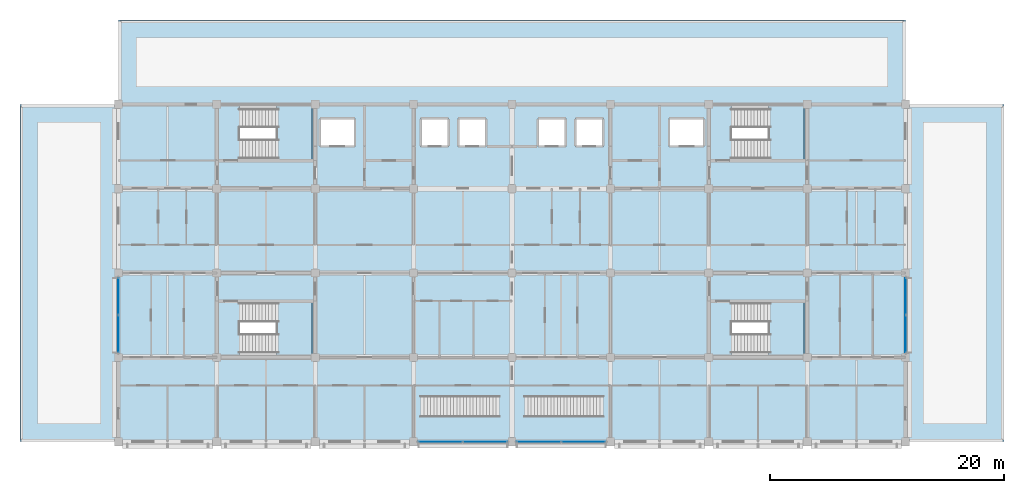
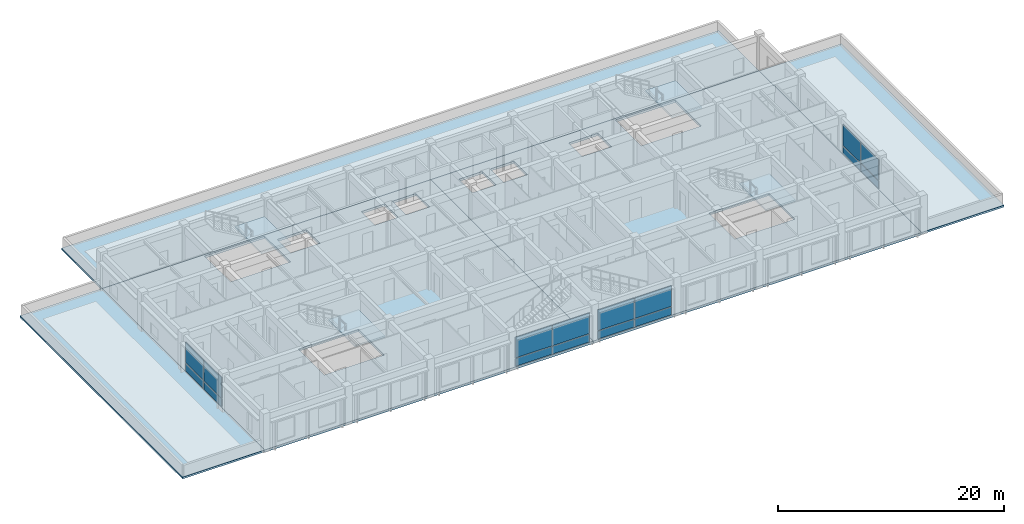
# One storey, part 6 of 19: 16 plates, 9 slabs, 8 elements without a shape of their own.
"""IFC4 building model written with IfcOpenShell, lengths in metres."""

from ifc_helpers import new_model, si_unit, direction, frame, origin, origin_2d, place, context, subcontext, project, spatial, polyline, rectangle, outline, extrude, material, layer, layer_set, type_object, element, aggregate, save


model = new_model("IFC4")

# Units and contexts
model_context = context("Model", 3, precision=1e-05, world=origin(), true_north=direction((0.0, 1.0)))
body_context = subcontext(model_context, "Body", "Model", "MODEL_VIEW")
ifc_project = project(units=[si_unit("LENGTHUNIT", "METRE"), si_unit("AREAUNIT", "SQUARE_METRE"), si_unit("VOLUMEUNIT", "CUBIC_METRE"), si_unit("PLANEANGLEUNIT", "RADIAN"), si_unit("MASSUNIT", "GRAM", prefix="KILO")], contexts=[model_context])

# Site, building, storey
site_placement = place(None, origin())
site = spatial("IfcSite", under=ifc_project, at=site_placement, CompositionType="ELEMENT")
building_placement = place(site_placement, origin())
building = spatial("IfcBuilding", under=site, at=building_placement, Name="Chengyuan Square Courthouse", CompositionType="ELEMENT")
storey_placement = place(building_placement, frame((0.0, 0.0, 47.699951171875)))
storey = spatial("IfcBuildingStorey", under=building, at=storey_placement, Name="L11", CompositionType="ELEMENT", Elevation=47.699951171875)

# Curtain wall, plates
ifc_material_1 = material(Name="Unitised Aluminium and Triple Low-E Glass", Category="aluminium")
ifc_layer_1 = layer(ifc_material_1, 0.199951171875)
ifc_layer_set_1 = layer_set([ifc_layer_1], Name="Unitised Aluminium and Triple Low-E Glass")
curtain_wall_type_1 = type_object("IfcCurtainWallType", Name="CW-07", PredefinedType="USERDEFINED", material=ifc_layer_set_1)
curtain_wall_1_placement = place(storey_placement, origin())
curtain_wall_1 = element("IfcCurtainWall", 1, at=curtain_wall_1_placement, inside=storey, type_object=curtain_wall_type_1, Name="Unitised Curtain Wall CW-L11-261", ObjectType="UNITISED CURTAIN WALL", PredefinedType="USERDEFINED")
ifc_material_2 = material(Name="Triple Low-E Insulating Glass", Category="glass")
ifc_layer_2 = layer(ifc_material_2, 0.02392578125)
ifc_layer_set_2 = layer_set([ifc_layer_2], Name="Triple Low-E Insulating Glass")
plate_type_1 = type_object("IfcPlateType", Name="CWP-01", PredefinedType="CURTAIN_PANEL", material=ifc_layer_set_2)
plate_1_placement = place(storey_placement, frame((77.892578125, 79.199951171875, 0.06982421875), z_axis=(0.0, 0.0, 1.0), x_axis=(1.0, 0.0, 0.0)))
plate_1 = element("IfcPlate", 2, at=plate_1_placement, type_object=plate_type_1, Name="CW-07 panel 1.1", PredefinedType="CURTAIN_PANEL", context=body_context, shape_type="SweptSolid", body=[
    extrude(rectangle(XDim=3.7451171875, YDim=0.02392578125, at=origin_2d()), origin(), (0.0, 0.0, 1.0), 0.844970703125),
])
plate_2_placement = place(storey_placement, frame((77.892578125, 79.199951171875, 0.985107421875), z_axis=(0.0, 0.0, 1.0), x_axis=(1.0, 0.0, 0.0)))
plate_2 = element("IfcPlate", 3, at=plate_2_placement, type_object=plate_type_1, Name="CW-07 panel 1.2", PredefinedType="CURTAIN_PANEL", context=body_context, shape_type="SweptSolid", body=[
    extrude(rectangle(XDim=3.7451171875, YDim=0.02392578125, at=origin_2d()), origin(), (0.0, 0.0, 1.0), 2.2548828125),
])
plate_3_placement = place(storey_placement, frame((81.70751953125, 79.199951171875, 0.06982421875), z_axis=(0.0, 0.0, 1.0), x_axis=(1.0, 0.0, 0.0)))
plate_3 = element("IfcPlate", 4, at=plate_3_placement, type_object=plate_type_1, Name="CW-07 panel 2.1", PredefinedType="CURTAIN_PANEL", context=body_context, shape_type="SweptSolid", body=[
    extrude(rectangle(XDim=3.7451171875, YDim=0.02392578125, at=origin_2d()), origin(), (0.0, 0.0, 1.0), 0.844970703125),
])
plate_4_placement = place(storey_placement, frame((81.70751953125, 79.199951171875, 0.985107421875), z_axis=(0.0, 0.0, 1.0), x_axis=(1.0, 0.0, 0.0)))
plate_4 = element("IfcPlate", 5, at=plate_4_placement, type_object=plate_type_1, Name="CW-07 panel 2.2", PredefinedType="CURTAIN_PANEL", context=body_context, shape_type="SweptSolid", body=[
    extrude(rectangle(XDim=3.7451171875, YDim=0.02392578125, at=origin_2d()), origin(), (0.0, 0.0, 1.0), 2.2548828125),
])
aggregate(curtain_wall_1, [plate_1, plate_2, plate_3, plate_4])

curtain_wall_2_placement = place(storey_placement, origin())
curtain_wall_2 = element("IfcCurtainWall", 6, at=curtain_wall_2_placement, inside=storey, type_object=curtain_wall_type_1, Name="Unitised Curtain Wall CW-L11-262", ObjectType="UNITISED CURTAIN WALL", PredefinedType="USERDEFINED")
plate_5_placement = place(storey_placement, frame((86.29248046875, 79.199951171875, 0.06982421875), z_axis=(0.0, 0.0, 1.0), x_axis=(1.0, 0.0, 0.0)))
plate_5 = element("IfcPlate", 7, at=plate_5_placement, type_object=plate_type_1, Name="CW-07 panel 1.1", PredefinedType="CURTAIN_PANEL", context=body_context, shape_type="SweptSolid", body=[
    extrude(rectangle(XDim=3.7451171875, YDim=0.02392578125, at=origin_2d()), origin(), (0.0, 0.0, 1.0), 0.844970703125),
])
plate_6_placement = place(storey_placement, frame((86.29248046875, 79.199951171875, 0.985107421875), z_axis=(0.0, 0.0, 1.0), x_axis=(1.0, 0.0, 0.0)))
plate_6 = element("IfcPlate", 8, at=plate_6_placement, type_object=plate_type_1, Name="CW-07 panel 1.2", PredefinedType="CURTAIN_PANEL", context=body_context, shape_type="SweptSolid", body=[
    extrude(rectangle(XDim=3.7451171875, YDim=0.02392578125, at=origin_2d()), origin(), (0.0, 0.0, 1.0), 2.2548828125),
])
plate_7_placement = place(storey_placement, frame((90.107421875, 79.199951171875, 0.06982421875), z_axis=(0.0, 0.0, 1.0), x_axis=(1.0, 0.0, 0.0)))
plate_7 = element("IfcPlate", 9, at=plate_7_placement, type_object=plate_type_1, Name="CW-07 panel 2.1", PredefinedType="CURTAIN_PANEL", context=body_context, shape_type="SweptSolid", body=[
    extrude(rectangle(XDim=3.7451171875, YDim=0.02392578125, at=origin_2d()), origin(), (0.0, 0.0, 1.0), 0.844970703125),
])
plate_8_placement = place(storey_placement, frame((90.107421875, 79.199951171875, 0.985107421875), z_axis=(0.0, 0.0, 1.0), x_axis=(1.0, 0.0, 0.0)))
plate_8 = element("IfcPlate", 10, at=plate_8_placement, type_object=plate_type_1, Name="CW-07 panel 2.2", PredefinedType="CURTAIN_PANEL", context=body_context, shape_type="SweptSolid", body=[
    extrude(rectangle(XDim=3.7451171875, YDim=0.02392578125, at=origin_2d()), origin(), (0.0, 0.0, 1.0), 2.2548828125),
])
aggregate(curtain_wall_2, [plate_5, plate_6, plate_7, plate_8])

ifc_layer_3 = layer(ifc_material_1, 0.219970703125)
ifc_layer_set_3 = layer_set([ifc_layer_3], Name="Unitised Aluminium and Triple Low-E Glass")
curtain_wall_type_2 = type_object("IfcCurtainWallType", Name="CW-20", PredefinedType="USERDEFINED", material=ifc_layer_set_3)
curtain_wall_3_placement = place(storey_placement, origin())
curtain_wall_3 = element("IfcCurtainWall", 11, at=curtain_wall_3_placement, inside=storey, type_object=curtain_wall_type_2, Name="Unitised Curtain Wall CW-L11-260", ObjectType="UNITISED CURTAIN WALL", PredefinedType="USERDEFINED")
ifc_layer_4 = layer(ifc_material_2, 0.031982421875)
ifc_layer_set_4 = layer_set([ifc_layer_4], Name="Triple Low-E Insulating Glass")
plate_type_2 = type_object("IfcPlateType", Name="CWP-02", PredefinedType="CURTAIN_PANEL", material=ifc_layer_set_4)
plate_9_placement = place(storey_placement, frame((50.39990234375, 88.39501953125, 0.080078125), z_axis=(0.0, 0.0, 1.0), x_axis=(0.0, 1.0, 0.0)))
plate_9 = element("IfcPlate", 12, at=plate_9_placement, type_object=plate_type_2, Name="CW-20 panel 1.1", PredefinedType="CURTAIN_PANEL", context=body_context, shape_type="SweptSolid", body=[
    extrude(rectangle(XDim=3.1298828125, YDim=0.031982421875, at=origin_2d()), origin(), (0.0, 0.0, 1.0), 0.830078125),
])
plate_10_placement = place(storey_placement, frame((50.39990234375, 88.39501953125, 0.990234375), z_axis=(0.0, 0.0, 1.0), x_axis=(0.0, 1.0, 0.0)))
plate_10 = element("IfcPlate", 13, at=plate_10_placement, type_object=plate_type_2, Name="CW-20 panel 1.2", PredefinedType="CURTAIN_PANEL", context=body_context, shape_type="SweptSolid", body=[
    extrude(rectangle(XDim=3.1298828125, YDim=0.031982421875, at=origin_2d()), origin(), (0.0, 0.0, 1.0), 2.239990234375),
])
plate_11_placement = place(storey_placement, frame((50.39990234375, 91.60498046875, 0.080078125), z_axis=(0.0, 0.0, 1.0), x_axis=(0.0, 1.0, 0.0)))
plate_11 = element("IfcPlate", 14, at=plate_11_placement, type_object=plate_type_2, Name="CW-20 panel 2.1", PredefinedType="CURTAIN_PANEL", context=body_context, shape_type="SweptSolid", body=[
    extrude(rectangle(XDim=3.1298828125, YDim=0.031982421875, at=origin_2d()), origin(), (0.0, 0.0, 1.0), 0.830078125),
])
plate_12_placement = place(storey_placement, frame((50.39990234375, 91.60498046875, 0.990234375), z_axis=(0.0, 0.0, 1.0), x_axis=(0.0, 1.0, 0.0)))
plate_12 = element("IfcPlate", 15, at=plate_12_placement, type_object=plate_type_2, Name="CW-20 panel 2.2", PredefinedType="CURTAIN_PANEL", context=body_context, shape_type="SweptSolid", body=[
    extrude(rectangle(XDim=3.1298828125, YDim=0.031982421875, at=origin_2d()), origin(), (0.0, 0.0, 1.0), 2.239990234375),
])
aggregate(curtain_wall_3, [plate_9, plate_10, plate_11, plate_12])

curtain_wall_4_placement = place(storey_placement, origin())
curtain_wall_4 = element("IfcCurtainWall", 16, at=curtain_wall_4_placement, inside=storey, type_object=curtain_wall_type_2, Name="Unitised Curtain Wall CW-L11-263", ObjectType="UNITISED CURTAIN WALL", PredefinedType="USERDEFINED")
plate_13_placement = place(storey_placement, frame((117.60009765625, 88.39501953125, 0.080078125), z_axis=(0.0, 0.0, 1.0), x_axis=(0.0, 1.0, 0.0)))
plate_13 = element("IfcPlate", 17, at=plate_13_placement, type_object=plate_type_2, Name="CW-20 panel 1.1", PredefinedType="CURTAIN_PANEL", context=body_context, shape_type="SweptSolid", body=[
    extrude(rectangle(XDim=3.1298828125, YDim=0.031982421875, at=origin_2d()), origin(), (0.0, 0.0, 1.0), 0.830078125),
])
plate_14_placement = place(storey_placement, frame((117.60009765625, 88.39501953125, 0.990234375), z_axis=(0.0, 0.0, 1.0), x_axis=(0.0, 1.0, 0.0)))
plate_14 = element("IfcPlate", 18, at=plate_14_placement, type_object=plate_type_2, Name="CW-20 panel 1.2", PredefinedType="CURTAIN_PANEL", context=body_context, shape_type="SweptSolid", body=[
    extrude(rectangle(XDim=3.1298828125, YDim=0.031982421875, at=origin_2d()), origin(), (0.0, 0.0, 1.0), 2.239990234375),
])
plate_15_placement = place(storey_placement, frame((117.60009765625, 91.60498046875, 0.080078125), z_axis=(0.0, 0.0, 1.0), x_axis=(0.0, 1.0, 0.0)))
plate_15 = element("IfcPlate", 19, at=plate_15_placement, type_object=plate_type_2, Name="CW-20 panel 2.1", PredefinedType="CURTAIN_PANEL", context=body_context, shape_type="SweptSolid", body=[
    extrude(rectangle(XDim=3.1298828125, YDim=0.031982421875, at=origin_2d()), origin(), (0.0, 0.0, 1.0), 0.830078125),
])
plate_16_placement = place(storey_placement, frame((117.60009765625, 91.60498046875, 0.990234375), z_axis=(0.0, 0.0, 1.0), x_axis=(0.0, 1.0, 0.0)))
plate_16 = element("IfcPlate", 20, at=plate_16_placement, type_object=plate_type_2, Name="CW-20 panel 2.2", PredefinedType="CURTAIN_PANEL", context=body_context, shape_type="SweptSolid", body=[
    extrude(rectangle(XDim=3.1298828125, YDim=0.031982421875, at=origin_2d()), origin(), (0.0, 0.0, 1.0), 2.239990234375),
])
aggregate(curtain_wall_4, [plate_13, plate_14, plate_15, plate_16])

# Stair, slab
ifc_material_3 = material(Name="Concrete C40", Category="concrete")
stair_type_1 = type_object("IfcStairType", Name="ST-TYPE-01", PredefinedType="HALF_TURN_STAIR", material=ifc_material_3)
stair_1_placement = place(storey_placement, origin())
stair_1 = element("IfcStair", 21, at=stair_1_placement, inside=storey, type_object=stair_type_1, Name="Smoke-Proof Exit Stair ST-1 (L11 to L12)", PredefinedType="HALF_TURN_STAIR")
ifc_layer_5 = layer(ifc_material_3, 0.179931640625)
ifc_layer_set_5 = layer_set([ifc_layer_5], Name="Concrete C40")
slab_type_1 = type_object("IfcSlabType", Name="SL-LND2", PredefinedType="LANDING", material=ifc_layer_set_5)
slab_1_placement = place(storey_placement, frame((0.0, 0.0, 1.920166015625)))
slab_1 = element("IfcSlab", 22, at=slab_1_placement, type_object=slab_type_1, Name="ST-1 landing 1", PredefinedType="LANDING", context=body_context, shape_type="SweptSolid", body=[
    extrude(outline(polyline([(63.889892578125, 103.159912109375), (66.93994140625, 103.159912109375), (66.93994140625, 107.840087890625), (63.889892578125, 107.840087890625), (63.889892578125, 103.159912109375)])), origin(), (0.0, 0.0, 1.0), 0.179931640625),
])
aggregate(stair_1, [slab_1])

stair_type_2 = type_object("IfcStairType", Name="ST-TYPE-02", PredefinedType="HALF_TURN_STAIR", material=ifc_material_3)
stair_2_placement = place(storey_placement, origin())
stair_2 = element("IfcStair", 23, at=stair_2_placement, inside=storey, type_object=stair_type_2, Name="Smoke-Proof Exit Stair ST-2 (L11 to L12)", PredefinedType="HALF_TURN_STAIR")
slab_2_placement = place(storey_placement, frame((0.0, 0.0, 1.920166015625)))
slab_2 = element("IfcSlab", 24, at=slab_2_placement, type_object=slab_type_1, Name="ST-2 landing 1", PredefinedType="LANDING", context=body_context, shape_type="SweptSolid", body=[
    extrude(outline(polyline([(105.889892578125, 103.159912109375), (108.93994140625, 103.159912109375), (108.93994140625, 107.840087890625), (105.889892578125, 107.840087890625), (105.889892578125, 103.159912109375)])), origin(), (0.0, 0.0, 1.0), 0.179931640625),
])
aggregate(stair_2, [slab_2])

stair_type_3 = type_object("IfcStairType", Name="ST-TYPE-03", PredefinedType="HALF_TURN_STAIR", material=ifc_material_3)
stair_3_placement = place(storey_placement, origin())
stair_3 = element("IfcStair", 25, at=stair_3_placement, inside=storey, type_object=stair_type_3, Name="Smoke-Proof Exit Stair ST-3 (L11 to L12)", PredefinedType="HALF_TURN_STAIR")
slab_3_placement = place(storey_placement, frame((0.0, 0.0, 1.920166015625)))
slab_3 = element("IfcSlab", 26, at=slab_3_placement, type_object=slab_type_1, Name="ST-3 landing 1", PredefinedType="LANDING", context=body_context, shape_type="SweptSolid", body=[
    extrude(outline(polyline([(63.889892578125, 86.56005859375), (66.93994140625, 86.56005859375), (66.93994140625, 91.239990234375), (63.889892578125, 91.239990234375), (63.889892578125, 86.56005859375)])), origin(), (0.0, 0.0, 1.0), 0.179931640625),
])
aggregate(stair_3, [slab_3])

stair_type_4 = type_object("IfcStairType", Name="ST-TYPE-04", PredefinedType="HALF_TURN_STAIR", material=ifc_material_3)
stair_4_placement = place(storey_placement, origin())
stair_4 = element("IfcStair", 27, at=stair_4_placement, inside=storey, type_object=stair_type_4, Name="Smoke-Proof Exit Stair ST-4 (L11 to L12)", PredefinedType="HALF_TURN_STAIR")
slab_4_placement = place(storey_placement, frame((0.0, 0.0, 1.920166015625)))
slab_4 = element("IfcSlab", 28, at=slab_4_placement, type_object=slab_type_1, Name="ST-4 landing 1", PredefinedType="LANDING", context=body_context, shape_type="SweptSolid", body=[
    extrude(outline(polyline([(105.889892578125, 86.56005859375), (108.93994140625, 86.56005859375), (108.93994140625, 91.239990234375), (105.889892578125, 91.239990234375), (105.889892578125, 86.56005859375)])), origin(), (0.0, 0.0, 1.0), 0.179931640625),
])
aggregate(stair_4, [slab_4])

# Slabs
ifc_layer_6 = layer(ifc_material_3, 0.199951171875)
ifc_layer_set_6 = layer_set([ifc_layer_6], Name="Concrete C40")
slab_type_2 = type_object("IfcSlabType", Name="SL-MRF", PredefinedType="ROOF", material=ifc_layer_set_6)
slab_5_placement = place(storey_placement, frame((0.0, 0.0, -0.199951171875)))
element("IfcSlab", 29, at=slab_5_placement, inside=storey, type_object=slab_type_2, Name="Maintenance Roof Slab SL-MRF-L11-1", PredefinedType="ROOF", context=body_context, shape_type="SweptSolid", body=[
    extrude(outline(polyline([(42.0, 79.199951171875), (42.0, 86.39990234375), (42.0, 93.60009765625), (42.0, 100.800048828125), (42.0, 108.0), (50.39990234375, 108.0), (50.39990234375, 100.800048828125), (50.39990234375, 93.60009765625), (50.39990234375, 86.39990234375), (50.39990234375, 79.199951171875), (42.0, 79.199951171875)])), origin(), (0.0, 0.0, 1.0), 0.199951171875),
])
slab_6_placement = place(storey_placement, frame((0.0, 0.0, -0.199951171875)))
element("IfcSlab", 30, at=slab_6_placement, inside=storey, type_object=slab_type_2, Name="Maintenance Roof Slab SL-MRF-L11-2", PredefinedType="ROOF", context=body_context, shape_type="SweptSolid", body=[
    extrude(outline(polyline([(58.800048828125, 115.199951171875), (67.199951171875, 115.199951171875), (75.60009765625, 115.199951171875), (84.0, 115.199951171875), (92.39990234375, 115.199951171875), (100.800048828125, 115.199951171875), (109.199951171875, 115.199951171875), (117.60009765625, 115.199951171875), (117.60009765625, 108.0), (109.199951171875, 108.0), (100.800048828125, 108.0), (92.39990234375, 108.0), (84.0, 108.0), (75.60009765625, 108.0), (67.199951171875, 108.0), (58.800048828125, 108.0), (50.39990234375, 108.0), (50.39990234375, 115.199951171875), (58.800048828125, 115.199951171875)])), origin(), (0.0, 0.0, 1.0), 0.199951171875),
])
slab_7_placement = place(storey_placement, frame((0.0, 0.0, -0.199951171875)))
element("IfcSlab", 31, at=slab_7_placement, inside=storey, type_object=slab_type_2, Name="Maintenance Roof Slab SL-MRF-L11-3", PredefinedType="ROOF", context=body_context, shape_type="SweptSolid", body=[
    extrude(outline(polyline([(117.60009765625, 79.199951171875), (117.60009765625, 86.39990234375), (117.60009765625, 93.60009765625), (117.60009765625, 100.800048828125), (117.60009765625, 108.0), (126.0, 108.0), (126.0, 100.800048828125), (126.0, 93.60009765625), (126.0, 86.39990234375), (126.0, 79.199951171875), (117.60009765625, 79.199951171875)])), origin(), (0.0, 0.0, 1.0), 0.199951171875),
])
ifc_layer_7 = layer(ifc_material_3, 0.25)
ifc_layer_set_7 = layer_set([ifc_layer_7], Name="Concrete C40")
slab_type_3 = type_object("IfcSlabType", Name="SL-RC25", PredefinedType="FLOOR", material=ifc_layer_set_7)
slab_8_placement = place(storey_placement, frame((0.0, 0.0, -0.25)))
element("IfcSlab", 32, at=slab_8_placement, inside=storey, type_object=slab_type_3, Name="Suspended Floor Slab SL-L11-01", PredefinedType="FLOOR", context=body_context, shape_type="SweptSolid", body=[
    extrude(outline(polyline([(50.39990234375, 79.199951171875), (50.39990234375, 86.39990234375), (50.39990234375, 93.60009765625), (50.39990234375, 100.800048828125), (50.39990234375, 108.0), (58.800048828125, 108.0), (67.199951171875, 108.0), (75.60009765625, 108.0), (84.0, 108.0), (84.0, 79.199951171875), (75.60009765625, 79.199951171875), (67.199951171875, 79.199951171875), (58.800048828125, 79.199951171875), (50.39990234375, 79.199951171875)]), holes=[polyline([(60.75, 86.60009765625), (66.89990234375, 86.60009765625), (66.89990234375, 91.199951171875), (60.75, 91.199951171875), (60.75, 86.60009765625)]), polyline([(60.75, 103.199951171875), (66.89990234375, 103.199951171875), (66.89990234375, 107.800048828125), (60.75, 107.800048828125), (60.75, 103.199951171875)]), polyline([(67.60009765625, 106.800048828125), (67.60009765625, 104.39990234375), (70.60009765625, 104.39990234375), (70.60009765625, 106.800048828125), (67.60009765625, 106.800048828125)]), polyline([(76.199951171875, 104.39990234375), (78.60009765625, 104.39990234375), (78.60009765625, 106.800048828125), (76.199951171875, 106.800048828125), (76.199951171875, 104.39990234375)]), polyline([(79.39990234375, 104.39990234375), (81.800048828125, 104.39990234375), (81.800048828125, 106.800048828125), (79.39990234375, 106.800048828125), (79.39990234375, 104.39990234375)])]), origin(), (0.0, 0.0, 1.0), 0.25),
])
slab_9_placement = place(storey_placement, frame((0.0, 0.0, -0.25)))
element("IfcSlab", 33, at=slab_9_placement, inside=storey, type_object=slab_type_3, Name="Suspended Floor Slab SL-L11-02", PredefinedType="FLOOR", context=body_context, shape_type="SweptSolid", body=[
    extrude(outline(polyline([(92.39990234375, 108.0), (100.800048828125, 108.0), (109.199951171875, 108.0), (117.60009765625, 108.0), (117.60009765625, 100.800048828125), (117.60009765625, 93.60009765625), (117.60009765625, 86.39990234375), (117.60009765625, 79.199951171875), (109.199951171875, 79.199951171875), (100.800048828125, 79.199951171875), (92.39990234375, 79.199951171875), (84.0, 79.199951171875), (84.0, 108.0), (92.39990234375, 108.0)]), holes=[polyline([(102.75, 86.60009765625), (108.89990234375, 86.60009765625), (108.89990234375, 91.199951171875), (102.75, 91.199951171875), (102.75, 86.60009765625)]), polyline([(102.75, 107.800048828125), (102.75, 103.199951171875), (108.89990234375, 103.199951171875), (108.89990234375, 107.800048828125), (102.75, 107.800048828125)]), polyline([(86.199951171875, 104.39990234375), (88.60009765625, 104.39990234375), (88.60009765625, 106.800048828125), (86.199951171875, 106.800048828125), (86.199951171875, 104.39990234375)]), polyline([(89.39990234375, 106.800048828125), (89.39990234375, 104.39990234375), (91.800048828125, 104.39990234375), (91.800048828125, 106.800048828125), (89.39990234375, 106.800048828125)]), polyline([(97.39990234375, 106.800048828125), (97.39990234375, 104.39990234375), (100.39990234375, 104.39990234375), (100.39990234375, 106.800048828125), (97.39990234375, 106.800048828125)])]), origin(), (0.0, 0.0, 1.0), 0.25),
])

save(model, "model.ifc")
